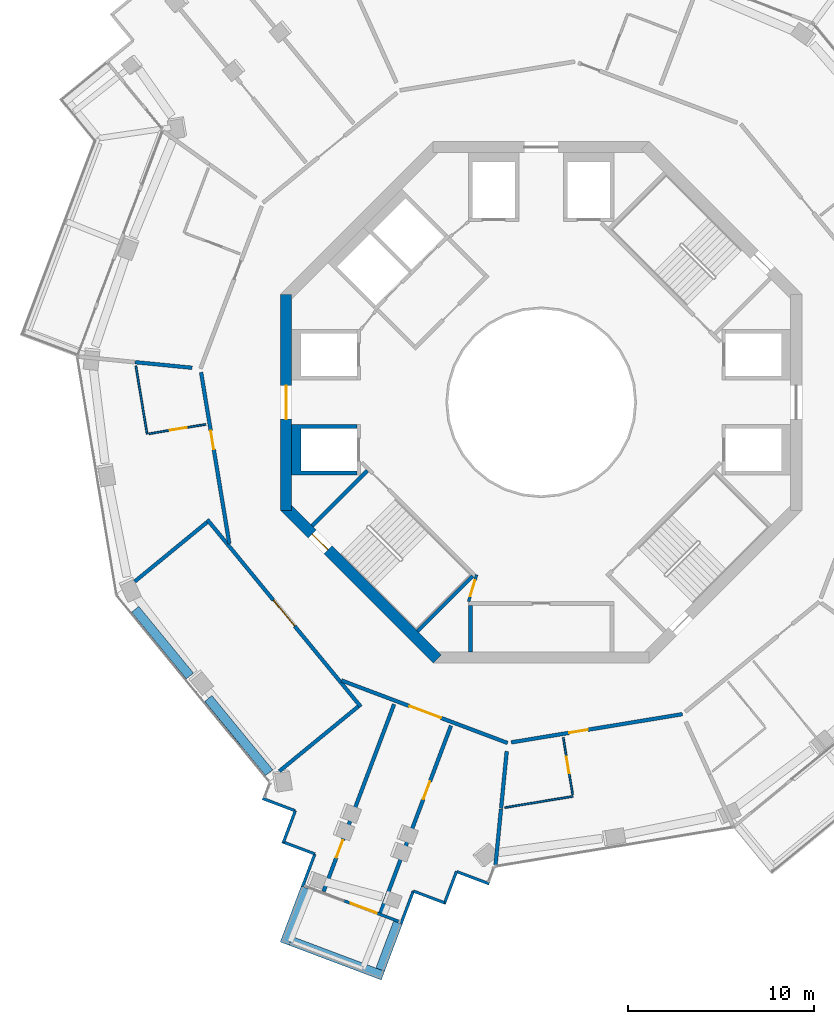
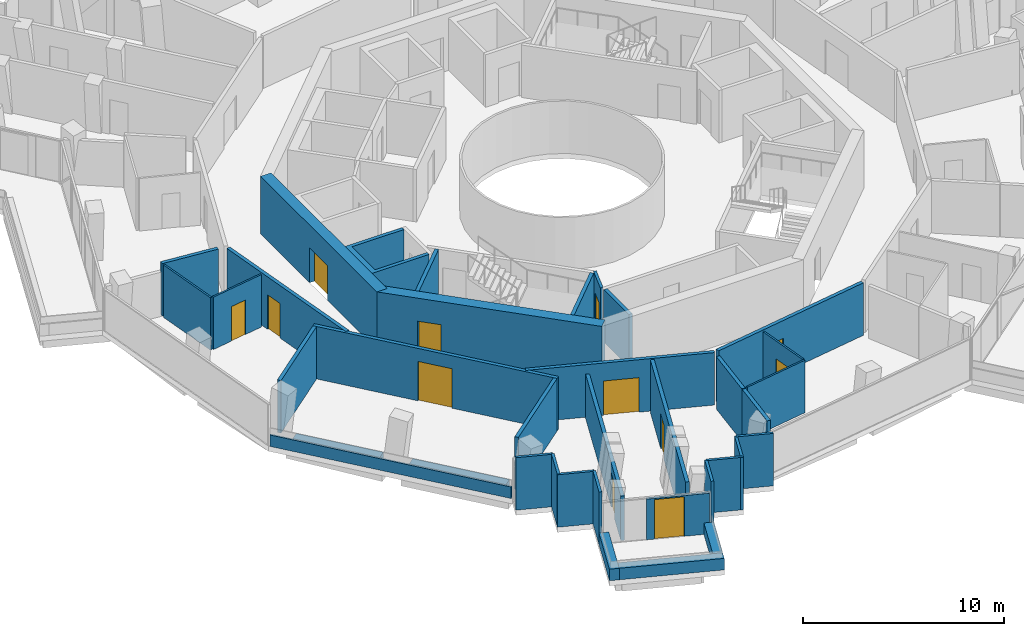
# One storey, part 14 of 21: 37 walls, 12 doors, 12 openings.
"""IFC4 building model written with IfcOpenShell, lengths in metres."""

import ifcopenshell
import ifcopenshell.guid

model = None  # the IFC model being written
_history = None  # IfcOwnerHistory: only IFC2X3 demands one
_inside = {}  # id of a spatial element -> (the spatial element, [elements in it])
_under = {}  # id of a project, library or spatial element -> (it, [spatial elements below it])
_declared = {}  # id of a project -> (the project, [libraries it declares])
_typed = {}  # id of a type object -> (the type object, [elements of that type])
_made_of = {}  # id of a material, layer set ... -> (it, [elements and type objects made of it])


def new_model(schema):
    """Start an empty IFC model of exactly this schema.

    Asked for "IFC4X3", IfcOpenShell would pick the latest addendum, in which some entities
    have other attributes; the version numbers below select the first issue.
    IFC2X3 requires an IfcOwnerHistory on every rooted entity: one is made here for all.
    """
    global model, _history
    if schema == "IFC4X3":
        model = ifcopenshell.file(schema_version=(4, 3, 0, 0))
    else:
        model = ifcopenshell.file(schema=schema)
    _inside.clear()
    _under.clear()
    _declared.clear()
    _typed.clear()
    _made_of.clear()
    _history = None
    if model.schema == "IFC2X3":
        org = make("IfcOrganization", Name="unknown")
        user = make(
            "IfcPersonAndOrganization",
            ThePerson=make("IfcPerson", FamilyName="unknown"),
            TheOrganization=org,
        )
        app = make(
            "IfcApplication",
            ApplicationDeveloper=org,
            Version="unknown",
            ApplicationFullName="unknown",
            ApplicationIdentifier="unknown",
        )
        _history = make(
            "IfcOwnerHistory",
            OwningUser=user,
            OwningApplication=app,
            ChangeAction="ADDED",
            CreationDate=0,
        )
    return model


def make(cls, **values):
    """One entity of the class cls with the attributes given. An attribute that is None is left unset."""
    return model.create_entity(
        cls, **{name: value for name, value in values.items() if value is not None}
    )


def rooted(cls, **values):
    """An entity with a GlobalId (a new one), such as an element, a storey or a relation."""
    return make(cls, GlobalId=ifcopenshell.guid.new(), OwnerHistory=_history, **values)


def si_unit(unit_type, name, prefix=None):
    """IfcSIUnit, for example si_unit("LENGTHUNIT", "METRE", prefix="MILLI")."""
    return make("IfcSIUnit", UnitType=unit_type, Prefix=prefix, Name=name)


def assignment(units):
    """IfcUnitAssignment: the units of a project."""
    return None if units is None else make("IfcUnitAssignment", Units=units)


def point(xyz):
    """IfcCartesianPoint."""
    return None if xyz is None else make("IfcCartesianPoint", Coordinates=xyz)


def direction(xyz):
    """IfcDirection."""
    return None if xyz is None else make("IfcDirection", DirectionRatios=xyz)


def frame(location, z_axis=None, x_axis=None):
    """IfcAxis2Placement3D, a coordinate frame: its origin and axes. An axis left out is left unset."""
    return make(
        "IfcAxis2Placement3D",
        Location=point(location),
        Axis=direction(z_axis),
        RefDirection=direction(x_axis),
    )


def frame_2d(location, x_axis=None):
    """IfcAxis2Placement2D, a coordinate frame in the plane: its origin and x axis."""
    return make(
        "IfcAxis2Placement2D", Location=point(location), RefDirection=direction(x_axis)
    )


def origin():
    """The frame at (0, 0, 0) with its axes left unset."""
    return frame((0.0, 0.0, 0.0))


def place(relative_to, where):
    """IfcLocalPlacement: puts the frame where relative to a parent placement (None: the world)."""
    return make(
        "IfcLocalPlacement", PlacementRelTo=relative_to, RelativePlacement=where
    )


def context(
    kind, dimensions, precision=None, world=None, true_north=None, identifier=None
):
    """IfcGeometricRepresentationContext, for example the 3D "Model" context."""
    return make(
        "IfcGeometricRepresentationContext",
        ContextIdentifier=identifier,
        ContextType=kind,
        CoordinateSpaceDimension=dimensions,
        Precision=precision,
        WorldCoordinateSystem=world,
        TrueNorth=true_north,
    )


def subcontext(parent, identifier, kind, view, scale=None):
    """IfcGeometricRepresentationSubContext, for example "Body" below "Model"."""
    return make(
        "IfcGeometricRepresentationSubContext",
        ContextIdentifier=identifier,
        ContextType=kind,
        ParentContext=parent,
        TargetScale=scale,
        TargetView=view,
    )


def project(units=None, contexts=None):
    """IfcProject with its units and contexts."""
    return rooted(
        "IfcProject",
        Name="project",
        RepresentationContexts=contexts,
        UnitsInContext=assignment(units),
    )


def spatial(cls, under=None, at=None, **own):
    """A site, building, storey or space (cls), placed at a placement, below another one or the project."""
    s = rooted(cls, ObjectPlacement=at, **own)
    if under is not None:
        _under.setdefault(under.id(), (under, []))[1].append(s)
    return s


def polyline(points):
    """IfcPolyline through the points."""
    return make("IfcPolyline", Points=[point(p) for p in points])


def profile(cls, at=None, kind="AREA", **sizes):
    """A parametric profile (cls). Its sizes go by their IFC names, for example OverallWidth=200.0."""
    return make(cls, ProfileType=kind, Position=at, **sizes)


def rectangle(**sizes):
    """IfcRectangleProfileDef."""
    return profile("IfcRectangleProfileDef", **sizes)


def outline(outer, holes=None, kind="AREA"):
    """IfcArbitraryClosedProfileDef: a profile drawn as a closed curve; with holes, ...WithVoids."""
    if holes is None:
        return make("IfcArbitraryClosedProfileDef", ProfileType=kind, OuterCurve=outer)
    return make(
        "IfcArbitraryProfileDefWithVoids",
        ProfileType=kind,
        OuterCurve=outer,
        InnerCurves=holes,
    )


def extrude(swept, where, along, depth):
    """IfcExtrudedAreaSolid: the profile swept, set in the frame where, extruded along a direction by depth."""
    return make(
        "IfcExtrudedAreaSolid",
        SweptArea=swept,
        Position=where,
        ExtrudedDirection=direction(along),
        Depth=depth,
    )


def shape(context_of_items, identifier, shape_type, items):
    """IfcShapeRepresentation: the items that make up one representation, for example the "Body"."""
    return make(
        "IfcShapeRepresentation",
        ContextOfItems=context_of_items,
        RepresentationIdentifier=identifier,
        RepresentationType=shape_type,
        Items=items,
    )


def material(Name=None, Category=None):
    """IfcMaterial."""
    return make("IfcMaterial", Name=Name, Category=Category)


def layer(
    of_material, thickness, ventilated=None, Name=None, Category=None, Priority=None
):
    """IfcMaterialLayer: one layer of a wall or slab, of a material (None: an air gap)."""
    return make(
        "IfcMaterialLayer",
        Material=of_material,
        LayerThickness=thickness,
        IsVentilated=ventilated,
        Name=Name,
        Category=Category,
        Priority=Priority,
    )


def layer_set(layers, Name=None):
    """IfcMaterialLayerSet."""
    return make("IfcMaterialLayerSet", MaterialLayers=layers, LayerSetName=Name)


def made_of(thing, what):
    """Note that an element or type object is made of a material, layer set ...; save() writes the relation."""
    if what is not None:
        _made_of.setdefault(what.id(), (what, []))[1].append(thing)
    return thing


def type_object(cls, material=None, **own):
    """A type object (cls), such as IfcWallType, which elements share."""
    return made_of(rooted(cls, **own), material)


def element(
    cls,
    number,
    at=None,
    inside=None,
    cuts=None,
    type_object=None,
    material=None,
    context=None,
    identifier="Body",
    shape_type=None,
    held_by="IfcProductDefinitionShape",
    body=None,
    shapes=None,
    **own,
):
    """One element of the class cls, such as IfcWall. Its Tag is "e" and its number.

    at: its placement. inside: the storey or other place that contains it. cuts: it is an
    opening in that element (IfcRelVoidsElement). A single representation is given by context,
    identifier, shape_type and body (its items); several are given by shapes. held_by: the class
    of the entity that holds the representations. save() writes the other relations.
    """
    e = rooted(cls, Tag="e%d" % number, ObjectPlacement=at, **own)
    if body is not None:
        shapes = [shape(context, identifier, shape_type, body)]
    if shapes is not None:
        e.Representation = make(held_by, Representations=shapes)
    if inside is not None:
        _inside.setdefault(inside.id(), (inside, []))[1].append(e)
    if cuts is not None:
        rooted(
            "IfcRelVoidsElement", RelatingBuildingElement=cuts, RelatedOpeningElement=e
        )
    if type_object is not None:
        _typed.setdefault(type_object.id(), (type_object, []))[1].append(e)
    return made_of(e, material)


def fill(opening, filler):
    """IfcRelFillsElement: the door or window that sits in an opening."""
    return rooted(
        "IfcRelFillsElement",
        RelatingOpeningElement=opening,
        RelatedBuildingElement=filler,
    )


def aggregate(whole, parts):
    """IfcRelAggregates: a whole, such as a stair, and the parts it consists of."""
    return rooted("IfcRelAggregates", RelatingObject=whole, RelatedObjects=parts)


def save(model, path):
    """Write the relations noted so far, then the file.

    IfcRelAggregates (storeys below a building ...), IfcRelContainedInSpatialStructure (elements
    in a storey), IfcRelDefinesByType, IfcRelAssociatesMaterial and IfcRelDeclares: one each for
    every whole, place, type object, material and project.
    """
    for whole, parts in _under.values():
        aggregate(whole, parts)
    for where, things in _inside.values():
        rooted(
            "IfcRelContainedInSpatialStructure",
            RelatedElements=things,
            RelatingStructure=where,
        )
    for kind, things in _typed.values():
        rooted("IfcRelDefinesByType", RelatedObjects=things, RelatingType=kind)
    for what, things in _made_of.values():
        rooted("IfcRelAssociatesMaterial", RelatedObjects=things, RelatingMaterial=what)
    for by, libraries in _declared.values():
        rooted("IfcRelDeclares", RelatingContext=by, RelatedDefinitions=libraries)
    model.write(path)


model = new_model("IFC4")

# Units and contexts
model_context = context("Model", 3, precision=1e-05, world=origin(), true_north=direction((0.0, 1.0)))
body_context = subcontext(model_context, "Body", "Model", "MODEL_VIEW")
ifc_project = project(units=[si_unit("LENGTHUNIT", "METRE"), si_unit("AREAUNIT", "SQUARE_METRE"), si_unit("VOLUMEUNIT", "CUBIC_METRE"), si_unit("PLANEANGLEUNIT", "RADIAN"), si_unit("MASSUNIT", "GRAM", prefix="KILO")], contexts=[model_context])

# Site, building, storey
site_placement = place(None, origin())
site = spatial("IfcSite", under=ifc_project, at=site_placement, CompositionType="ELEMENT")
building_placement = place(site_placement, origin())
building = spatial("IfcBuilding", under=site, at=building_placement, Name="Verdalira Terraces Hotel", CompositionType="ELEMENT")
storey_placement = place(building_placement, frame((0.0, 0.0, 194.0)))
storey = spatial("IfcBuildingStorey", under=building, at=storey_placement, Name="L47", CompositionType="ELEMENT", Elevation=194.0)

# Walls
ifc_material_1 = material(Name="Concrete C40", Category="concrete")
ifc_layer_1 = layer(ifc_material_1, 0.5)
ifc_layer_set_1 = layer_set([ifc_layer_1], Name="Balcony planter trough with tree")
wall_type_1 = type_object("IfcWallType", Name="Balcony planter trough with tree", PredefinedType="SOLIDWALL", material=ifc_layer_set_1)
wall_1_placement = place(storey_placement, frame((-12.652588, -26.072754, 0.0), z_axis=(0.0, 0.0, 1.0), x_axis=(-0.35251141, -0.935807515, 0.0)))
element("IfcWall", 1, at=wall_1_placement, inside=storey, type_object=wall_type_1, Name="Balcony planter", PredefinedType="SOLIDWALL", context=body_context, shape_type="SweptSolid", body=[
    extrude(rectangle(XDim=3.198975, YDim=0.5, at=frame_2d((1.599609, 0.0))), origin(), (0.0, 0.0, 1.0), 0.699951),
])
wall_2_placement = place(storey_placement, frame((-13.458252, -28.920654, 0.0), z_axis=(0.0, 0.0, 1.0), x_axis=(0.93581515, -0.352491141, 0.0)))
element("IfcWall", 2, at=wall_2_placement, inside=storey, type_object=wall_type_1, Name="Balcony planter", PredefinedType="SOLIDWALL", context=body_context, shape_type="SweptSolid", body=[
    extrude(rectangle(XDim=5.299805, YDim=0.5, at=frame_2d((2.649902, 0.0))), origin(), (0.0, 0.0, 1.0), 0.699951),
])
wall_3_placement = place(storey_placement, frame((-8.644287, -30.466797, 0.0), z_axis=(0.0, 0.0, 1.0), x_axis=(0.352520836, 0.935803965, 0.0)))
element("IfcWall", 3, at=wall_3_placement, inside=storey, type_object=wall_type_1, Name="Balcony planter", PredefinedType="SOLIDWALL", context=body_context, shape_type="SweptSolid", body=[
    extrude(rectangle(XDim=2.698975, YDim=0.5, at=frame_2d((1.349609, 0.0))), origin(), (0.0, 0.0, 1.0), 0.699951),
])
ifc_material_2 = material(Name="Moisture-resistant gypsum board partition")
ifc_layer_2 = layer(ifc_material_2, 0.10009765625)
ifc_layer_set_2 = layer_set([ifc_layer_2], Name="Bathroom partition 100 mm")
wall_type_2 = type_object("IfcWallType", Name="Bathroom partition 100 mm", PredefinedType="PARTITIONING", material=ifc_layer_set_2)
wall_4_placement = place(storey_placement, frame((-21.162598, -1.706299, 0.0), z_axis=(0.0, 0.0, 1.0), x_axis=(-0.162603078, 0.986691562, 0.0)))
element("IfcWall", 4, at=wall_4_placement, inside=storey, type_object=wall_type_2, Name="Bathroom partition", PredefinedType="PARTITIONING", context=body_context, shape_type="SweptSolid", body=[
    extrude(rectangle(XDim=3.704102, YDim=0.100098, at=frame_2d((1.852051, 0.0))), origin(), (0.0, 0.0, 1.0), 3.189941),
])

# Wall, opening, door
wall_5_placement = place(storey_placement, frame((-21.063965, -1.689941, 0.0), z_axis=(0.0, 0.0, 1.0), x_axis=(0.98668818, 0.162623601, 0.0)))
wall_5 = element("IfcWall", 5, at=wall_5_placement, inside=storey, type_object=wall_type_2, Name="Bathroom partition", PredefinedType="PARTITIONING", context=body_context, shape_type="SweptSolid", body=[
    extrude(rectangle(XDim=3.100098, YDim=0.100098, at=frame_2d((1.550049, 0.0))), origin(), (0.0, 0.0, 1.0), 3.189941),
])
opening_1_placement = place(wall_5_placement, frame((1.149902, 0.0, 0.0)))
opening_1 = element("IfcOpeningElement", 6, at=opening_1_placement, cuts=wall_5, Name="Opening L47-107", PredefinedType="OPENING", context=body_context, shape_type="SweptSolid", body=[
    extrude(rectangle(XDim=0.899902, YDim=2.100098, at=frame_2d((0.449951, 1.050049))), frame((0.0, 0.060059, 0.0), z_axis=(0.0, -1.0, 0.0), x_axis=(1.0, 0.0, 0.0)), (0.0, 0.0, 1.0), 0.120117),
])
ifc_material_3 = material(Name="Timber door", Category="wood")
door_type_1 = type_object("IfcDoorType", Name="Bathroom door 900 x 2100", OperationType="NOTDEFINED", PredefinedType="DOOR", material=ifc_material_3)
door_1_placement = place(opening_1_placement, origin())
door_1 = element("IfcDoor", 7, at=door_1_placement, inside=storey, type_object=door_type_1, Name="Bathroom door 4703", OperationType="SINGLE_SWING_LEFT", OverallHeight=2.10009765625, OverallWidth=0.89990234375, PredefinedType="DOOR", context=body_context, shape_type="SweptSolid", body=[
    extrude(rectangle(XDim=0.899902, YDim=2.100098, at=frame_2d((0.449951, 1.050049))), frame((0.0, 0.024902, 0.0), z_axis=(0.0, -1.0, 0.0), x_axis=(1.0, 0.0, 0.0)), (0.0, 0.0, 1.0), 0.050049),
])
fill(opening_1, door_1)

# Wall
wall_6_placement = place(storey_placement, frame((1.706299, -21.162598, 0.0), z_axis=(0.0, 0.0, 1.0), x_axis=(-0.986691562, -0.162603078, 0.0)))
element("IfcWall", 8, at=wall_6_placement, inside=storey, type_object=wall_type_2, Name="Bathroom partition", PredefinedType="PARTITIONING", context=body_context, shape_type="SweptSolid", body=[
    extrude(rectangle(XDim=3.704102, YDim=0.100098, at=frame_2d((1.852051, 0.0))), origin(), (0.0, 0.0, 1.0), 3.189941),
])

# Wall, opening, door
wall_7_placement = place(storey_placement, frame((1.689941, -21.063965, 0.0), z_axis=(0.0, 0.0, 1.0), x_axis=(-0.162623601, 0.98668818, 0.0)))
wall_7 = element("IfcWall", 9, at=wall_7_placement, inside=storey, type_object=wall_type_2, Name="Bathroom partition", PredefinedType="PARTITIONING", context=body_context, shape_type="SweptSolid", body=[
    extrude(rectangle(XDim=3.100098, YDim=0.100098, at=frame_2d((1.550049, 0.0))), origin(), (0.0, 0.0, 1.0), 3.189941),
])
opening_2_placement = place(wall_7_placement, frame((1.149902, 0.0, 0.0)))
opening_2 = element("IfcOpeningElement", 10, at=opening_2_placement, cuts=wall_7, Name="Opening L47-112", PredefinedType="OPENING", context=body_context, shape_type="SweptSolid", body=[
    extrude(rectangle(XDim=0.899902, YDim=2.100098, at=frame_2d((0.449951, 1.050049))), frame((0.0, 0.060059, 0.0), z_axis=(0.0, -1.0, 0.0), x_axis=(1.0, 0.0, 0.0)), (0.0, 0.0, 1.0), 0.120117),
])
door_2_placement = place(opening_2_placement, origin())
door_2 = element("IfcDoor", 11, at=door_2_placement, inside=storey, type_object=door_type_1, Name="Bathroom door 4705", OperationType="SINGLE_SWING_LEFT", OverallHeight=2.10009765625, OverallWidth=0.89990234375, PredefinedType="DOOR", context=body_context, shape_type="SweptSolid", body=[
    extrude(rectangle(XDim=0.899902, YDim=2.100098, at=frame_2d((0.449951, 1.050049))), frame((0.0, 0.024902, 0.0), z_axis=(0.0, -1.0, 0.0), x_axis=(1.0, 0.0, 0.0)), (0.0, 0.0, 1.0), 0.050049),
])
fill(opening_2, door_2)

# Walls
ifc_material_4 = material(Name="Concrete C50", Category="concrete")
ifc_layer_3 = layer(ifc_material_4, 0.199951171875)
ifc_layer_set_3 = layer_set([ifc_layer_3], Name="Core RC wall 200 C50")
wall_type_3 = type_object("IfcWallType", Name="Core RC wall 200 C50", PredefinedType="SOLIDWALL", material=ifc_layer_set_3)
wall_8_placement = place(storey_placement, origin())
element("IfcWall", 12, at=wall_8_placement, inside=storey, type_object=wall_type_3, Name="L47 shaft wall W2", PredefinedType="SOLIDWALL", context=body_context, shape_type="SweptSolid", body=[
    extrude(outline(polyline([(-13.399902, -3.899902), (-13.399902, -1.199951), (-9.899902, -1.199951), (-9.899902, -1.399902), (-12.899902, -1.399902), (-12.899902, -3.699951), (-9.899902, -3.699951), (-9.899902, -3.899902), (-13.399902, -3.899902)])), origin(), (0.0, 0.0, 1.0), 3.189941),
])
wall_9_placement = place(storey_placement, frame((-3.800049, -10.899902, 0.0), z_axis=(0.0, 0.0, 1.0), x_axis=(0.0, -1.0, 0.0)))
element("IfcWall", 13, at=wall_9_placement, inside=storey, type_object=wall_type_3, Name="L47 store side wall", PredefinedType="SOLIDWALL", context=body_context, shape_type="SweptSolid", body=[
    extrude(rectangle(XDim=2.5, YDim=0.199951, at=frame_2d((1.25, 0.0))), origin(), (0.0, 0.0, 1.0), 3.189941),
])
for number, where, z_axis, x_axis, name in (
    (14, (-9.33374, -3.677002, 0.0), (0.0, 0.0, 1.0), (-0.707135845, -0.707077716, 0.0), "L47 stair ST2 end wall 1"),
    (15, (-3.677002, -9.33374, 0.0), (0.0, 0.0, 1.0), (-0.707077716, -0.707135845, 0.0), "L47 stair ST2 end wall 2"),
):
    element("IfcWall", number, at=place(storey_placement, frame(where, z_axis=z_axis, x_axis=x_axis)), inside=storey, type_object=wall_type_3, Name=name, PredefinedType="SOLIDWALL", context=body_context, shape_type="SweptSolid", body=[
        extrude(rectangle(XDim=4.199951, YDim=0.199951, at=frame_2d((2.100098, 0.0))), origin(), (0.0, 0.0, 1.0), 3.189941),
    ])

# Wall, opening, door
ifc_material_5 = material(Name="Gypsum board partition")
ifc_layer_4 = layer(ifc_material_5, 0.14990234375)
ifc_layer_set_4 = layer_set([ifc_layer_4], Name="Core partition 150 mm")
wall_type_4 = type_object("IfcWallType", Name="Core partition 150 mm", PredefinedType="PARTITIONING", material=ifc_layer_set_4)
wall_10_placement = place(storey_placement, frame((-3.464844, -9.263184, 0.0), z_axis=(0.0, 0.0, 1.0), x_axis=(-0.289808785, -0.957084567, 0.0)))
wall_10 = element("IfcWall", 16, at=wall_10_placement, inside=storey, type_object=wall_type_4, Name="Room partition L47", PredefinedType="PARTITIONING", context=body_context, shape_type="SweptSolid", body=[
    extrude(rectangle(XDim=1.501221, YDim=0.149902, at=frame_2d((0.750488, 0.0))), origin(), (0.0, 0.0, 1.0), 3.189941),
])
opening_3_placement = place(wall_10_placement, frame((0.300781, 0.0, 0.0)))
opening_3 = element("IfcOpeningElement", 17, at=opening_3_placement, cuts=wall_10, Name="Opening L47-822", PredefinedType="OPENING", context=body_context, shape_type="SweptSolid", body=[
    extrude(rectangle(XDim=0.899902, YDim=2.100098, at=frame_2d((0.449951, 1.050049))), frame((0.0, 0.084961, 0.0), z_axis=(0.0, -1.0, 0.0), x_axis=(1.0, 0.0, 0.0)), (0.0, 0.0, 1.0), 0.169922),
])
ifc_material_6 = material(Name="Steel fire door", Category="steel")
door_type_2 = type_object("IfcDoorType", Name="Core room door 900 x 2100", OperationType="NOTDEFINED", PredefinedType="DOOR", material=ifc_material_6)
door_3_placement = place(opening_3_placement, origin())
door_3 = element("IfcDoor", 18, at=door_3_placement, inside=storey, type_object=door_type_2, Name="Door L47 room5", OperationType="SINGLE_SWING_LEFT", OverallHeight=2.10009765625, OverallWidth=0.89990234375, PredefinedType="DOOR", context=body_context, shape_type="SweptSolid", body=[
    extrude(rectangle(XDim=0.899902, YDim=2.100098, at=frame_2d((0.449951, 1.050049))), frame((0.0, 0.024902, 0.0), z_axis=(0.0, -1.0, 0.0), x_axis=(1.0, 0.0, 0.0)), (0.0, 0.0, 1.0), 0.050049),
])
fill(opening_3, door_3)

ifc_material_7 = material(Name="Concrete C60", Category="concrete")
ifc_layer_5 = layer(ifc_material_7, 0.60009765625)
ifc_layer_set_5 = layer_set([ifc_layer_5], Name="Core wall 600 C60")
wall_type_5 = type_object("IfcWallType", Name="Core wall 600 C60", PredefinedType="SHEAR", material=ifc_layer_set_5)
wall_11_placement = place(storey_placement, frame((-13.699951, 5.799072, 0.0), z_axis=(0.0, 0.0, 1.0), x_axis=(0.0, -1.0, 0.0)))
wall_11 = element("IfcWall", 19, at=wall_11_placement, inside=storey, type_object=wall_type_5, Name="Core wall CW-L47-5", PredefinedType="SHEAR", context=body_context, shape_type="SweptSolid", body=[
    extrude(rectangle(XDim=11.598145, YDim=0.600098, at=frame_2d((5.799072, 0.0))), origin(), (0.0, 0.0, 1.0), 3.5),
])
opening_4_placement = place(wall_11_placement, frame((4.898926, 0.0, 0.0)))
opening_4 = element("IfcOpeningElement", 20, at=opening_4_placement, cuts=wall_11, Name="Opening L47-815", PredefinedType="OPENING", context=body_context, shape_type="SweptSolid", body=[
    extrude(rectangle(XDim=1.800049, YDim=2.100098, at=frame_2d((0.899902, 1.050049))), frame((0.0, 0.310059, 0.0), z_axis=(0.0, -1.0, 0.0), x_axis=(1.0, 0.0, 0.0)), (0.0, 0.0, 1.0), 0.620117),
])
ifc_material_8 = material(Name="Steel fire door", Category="steel")
door_type_3 = type_object("IfcDoorType", Name="Core entry door pair 1800 x 2100", OperationType="NOTDEFINED", PredefinedType="DOOR", material=ifc_material_8)
door_4_placement = place(opening_4_placement, origin())
door_4 = element("IfcDoor", 21, at=door_4_placement, inside=storey, type_object=door_type_3, Name="Core entry door L47 4", OperationType="DOUBLE_DOOR_SINGLE_SWING", OverallHeight=2.10009765625, OverallWidth=1.800048828125, PredefinedType="DOOR", context=body_context, shape_type="SweptSolid", body=[
    extrude(rectangle(XDim=1.800049, YDim=2.100098, at=frame_2d((0.899902, 1.050049))), frame((0.0, 0.024902, 0.0), z_axis=(0.0, -1.0, 0.0), x_axis=(1.0, 0.0, 0.0)), (0.0, 0.0, 1.0), 0.050049),
])
fill(opening_4, door_4)

wall_12_placement = place(storey_placement, frame((-13.787842, -5.586914, 0.0), z_axis=(0.0, 0.0, 1.0), x_axis=(0.707106781, -0.707106781, 0.0)))
wall_12 = element("IfcWall", 22, at=wall_12_placement, inside=storey, type_object=wall_type_5, Name="Core wall CW-L47-6", PredefinedType="SHEAR", context=body_context, shape_type="SweptSolid", body=[
    extrude(rectangle(XDim=11.5979, YDim=0.600098, at=frame_2d((5.798828, 0.0))), origin(), (0.0, 0.0, 1.0), 3.5),
])
opening_5_placement = place(wall_12_placement, frame((2.099121, 0.0, 0.0)))
opening_5 = element("IfcOpeningElement", 23, at=opening_5_placement, cuts=wall_12, Name="Opening L47-817", PredefinedType="OPENING", context=body_context, shape_type="SweptSolid", body=[
    extrude(rectangle(XDim=1.199951, YDim=2.100098, at=frame_2d((0.600098, 1.050049))), frame((0.0, 0.310059, 0.0), z_axis=(0.0, -1.0, 0.0), x_axis=(1.0, 0.0, 0.0)), (0.0, 0.0, 1.0), 0.620117),
])
ifc_material_9 = material(Name="Steel fire door", Category="steel")
door_type_4 = type_object("IfcDoorType", Name="Stair door 1200 x 2100", OperationType="NOTDEFINED", PredefinedType="DOOR", material=ifc_material_9)
door_5_placement = place(opening_5_placement, origin())
door_5 = element("IfcDoor", 24, at=door_5_placement, inside=storey, type_object=door_type_4, Name="Stair exit door ST2 L47", OperationType="SINGLE_SWING_LEFT", OverallHeight=2.10009765625, OverallWidth=1.199951171875, PredefinedType="DOOR", context=body_context, shape_type="SweptSolid", body=[
    extrude(rectangle(XDim=1.199951, YDim=2.100098, at=frame_2d((0.600098, 1.050049))), frame((0.0, 0.024902, 0.0), z_axis=(0.0, -1.0, 0.0), x_axis=(1.0, 0.0, 0.0)), (0.0, 0.0, 1.0), 0.050049),
])
fill(opening_5, door_5)

# Wall
ifc_material_10 = material(Name="Fire-rated gypsum board wall")
ifc_layer_6 = layer(ifc_material_10, 0.199951171875)
ifc_layer_set_6 = layer_set([ifc_layer_6], Name="Demising wall 200 mm")
wall_type_6 = type_object("IfcWallType", Name="Demising wall 200 mm", PredefinedType="SOLIDWALL", material=ifc_layer_set_6)
wall_13_placement = place(storey_placement, frame((-18.740967, 1.85083, 0.0), z_axis=(0.0, 0.0, 1.0), x_axis=(-0.995164511, 0.098222174, 0.0)))
element("IfcWall", 25, at=wall_13_placement, inside=storey, type_object=wall_type_6, Name="Demising wall", PredefinedType="SOLIDWALL", context=body_context, shape_type="SweptSolid", body=[
    extrude(rectangle(XDim=3.074707, YDim=0.199951, at=frame_2d((1.537354, 0.0))), origin(), (0.0, 0.0, 1.0), 3.189941),
])

# Wall, opening, door
wall_14_placement = place(storey_placement, frame((-4.843262, -17.365723, 0.0), z_axis=(0.0, 0.0, 1.0), x_axis=(-0.352491927, -0.935814854, 0.0)))
wall_14 = element("IfcWall", 26, at=wall_14_placement, inside=storey, type_object=wall_type_6, Name="Demising wall", PredefinedType="SOLIDWALL", context=body_context, shape_type="SweptSolid", body=[
    extrude(rectangle(XDim=10.75, YDim=0.199951, at=frame_2d((5.375, 0.0))), origin(), (0.0, 0.0, 1.0), 3.189941),
])
opening_6_placement = place(wall_14_placement, frame((3.199951, 0.0, 0.0)))
opening_6 = element("IfcOpeningElement", 27, at=opening_6_placement, cuts=wall_14, Name="Opening L47-110", PredefinedType="OPENING", context=body_context, shape_type="SweptSolid", body=[
    extrude(rectangle(XDim=1.0, YDim=2.100098, at=frame_2d((0.5, 1.050049))), frame((0.0, 0.109863, 0.0), z_axis=(0.0, -1.0, 0.0), x_axis=(1.0, 0.0, 0.0)), (0.0, 0.0, 1.0), 0.219971),
])
ifc_material_11 = material(Name="Timber fire door", Category="wood")
door_type_5 = type_object("IfcDoorType", Name="Public room door 1000 x 2100", OperationType="NOTDEFINED", PredefinedType="DOOR", material=ifc_material_11)
door_6_placement = place(opening_6_placement, origin())
door_6 = element("IfcDoor", 28, at=door_6_placement, inside=storey, type_object=door_type_5, Name="Public room door 4704", OperationType="SINGLE_SWING_LEFT", OverallHeight=2.10009765625, OverallWidth=1.0, PredefinedType="DOOR", context=body_context, shape_type="SweptSolid", body=[
    extrude(rectangle(XDim=1.0, YDim=2.100098, at=frame_2d((0.5, 1.050049))), frame((0.0, 0.024902, 0.0), z_axis=(0.0, -1.0, 0.0), x_axis=(1.0, 0.0, 0.0)), (0.0, 0.0, 1.0), 0.050049),
])
fill(opening_6, door_6)

# Walls
wall_15_placement = place(storey_placement, frame((-2.157471, -21.846436, 0.0), z_axis=(0.0, 0.0, 1.0), x_axis=(-0.098259464, -0.99516083, 0.0)))
element("IfcWall", 29, at=wall_15_placement, inside=storey, type_object=wall_type_6, Name="Demising wall", PredefinedType="SOLIDWALL", context=body_context, shape_type="SweptSolid", body=[
    extrude(rectangle(XDim=3.011475, YDim=0.199951, at=frame_2d((1.505859, 0.0))), origin(), (0.0, 0.0, 1.0), 3.189941),
])
wall_16_placement = place(storey_placement, frame((-1.85083, -18.740723, 0.0), z_axis=(0.0, 0.0, 1.0), x_axis=(-0.098214413, -0.995165277, 0.0)))
element("IfcWall", 30, at=wall_16_placement, inside=storey, type_object=wall_type_6, Name="Demising wall", PredefinedType="SOLIDWALL", context=body_context, shape_type="SweptSolid", body=[
    extrude(rectangle(XDim=3.074951, YDim=0.199951, at=frame_2d((1.537598, 0.0))), origin(), (0.0, 0.0, 1.0), 3.189941),
])

# Wall, opening, door
ifc_material_12 = material(Name="Fire-rated gypsum board wall")
ifc_layer_7 = layer(ifc_material_12, 0.199951171875)
ifc_layer_set_7 = layer_set([ifc_layer_7], Name="Demising wall 200 mm to beam soffit")
wall_type_7 = type_object("IfcWallType", Name="Demising wall 200 mm to beam soffit", PredefinedType="SOLIDWALL", material=ifc_layer_set_7)
wall_17_placement = place(storey_placement, frame((-11.6875, -26.274902, 0.0), z_axis=(0.0, 0.0, 1.0), x_axis=(0.352499419, 0.935812032, 0.0)))
wall_17 = element("IfcWall", 31, at=wall_17_placement, inside=storey, type_object=wall_type_7, Name="Demising wall", PredefinedType="SOLIDWALL", context=body_context, shape_type="SweptSolid", body=[
    extrude(rectangle(XDim=10.749756, YDim=0.199951, at=frame_2d((5.375, 0.0))), origin(), (0.0, 0.0, 1.0), 2.689941),
])
opening_7_placement = place(wall_17_placement, frame((1.949951, 0.0, 0.0)))
opening_7 = element("IfcOpeningElement", 32, at=opening_7_placement, cuts=wall_17, Name="Opening L47-109", PredefinedType="OPENING", context=body_context, shape_type="SweptSolid", body=[
    extrude(rectangle(XDim=1.0, YDim=2.100098, at=frame_2d((0.5, 1.050049))), frame((0.0, 0.109863, 0.0), z_axis=(0.0, -1.0, 0.0), x_axis=(1.0, 0.0, 0.0)), (0.0, 0.0, 1.0), 0.219971),
])
door_7_placement = place(opening_7_placement, origin())
door_7 = element("IfcDoor", 33, at=door_7_placement, inside=storey, type_object=door_type_5, Name="Public room door 4704", OperationType="SINGLE_SWING_LEFT", OverallHeight=2.10009765625, OverallWidth=1.0, PredefinedType="DOOR", context=body_context, shape_type="SweptSolid", body=[
    extrude(rectangle(XDim=1.0, YDim=2.100098, at=frame_2d((0.5, 1.050049))), frame((0.0, 0.024902, 0.0), z_axis=(0.0, -1.0, 0.0), x_axis=(1.0, 0.0, 0.0)), (0.0, 0.0, 1.0), 0.050049),
])
fill(opening_7, door_7)

ifc_material_13 = material(Name="Fire-rated gypsum board wall")
ifc_layer_8 = layer(ifc_material_13, 0.199951171875)
ifc_layer_set_8 = layer_set([ifc_layer_8], Name="Guest corridor wall 200 mm")
wall_type_8 = type_object("IfcWallType", Name="Guest corridor wall 200 mm", PredefinedType="SOLIDWALL", material=ifc_layer_set_8)
wall_18_placement = place(storey_placement, frame((-16.744873, -7.602783, 0.0), z_axis=(0.0, 0.0, 1.0), x_axis=(-0.162621987, 0.986688446, 0.0)))
wall_18 = element("IfcWall", 34, at=wall_18_placement, inside=storey, type_object=wall_type_8, Name="Guest corridor wall", PredefinedType="SOLIDWALL", context=body_context, shape_type="SweptSolid", body=[
    extrude(rectangle(XDim=9.336426, YDim=0.199951, at=frame_2d((4.668213, 0.0))), origin(), (0.0, 0.0, 1.0), 3.189941),
])
opening_8_placement = place(wall_18_placement, frame((5.149902, 0.0, 0.0)))
opening_8 = element("IfcOpeningElement", 35, at=opening_8_placement, cuts=wall_18, Name="Opening L47-106", PredefinedType="OPENING", context=body_context, shape_type="SweptSolid", body=[
    extrude(rectangle(XDim=1.0, YDim=2.100098, at=frame_2d((0.5, 1.050049))), frame((0.0, 0.109863, 0.0), z_axis=(0.0, -1.0, 0.0), x_axis=(1.0, 0.0, 0.0)), (0.0, 0.0, 1.0), 0.219971),
])
ifc_material_14 = material(Name="Timber fire door", Category="wood")
door_type_6 = type_object("IfcDoorType", Name="Guest entry door 1000 x 2100", OperationType="NOTDEFINED", PredefinedType="DOOR", material=ifc_material_14)
door_8_placement = place(opening_8_placement, origin())
door_8 = element("IfcDoor", 36, at=door_8_placement, inside=storey, type_object=door_type_6, Name="Guest entry door 4703", OperationType="SINGLE_SWING_LEFT", OverallHeight=2.10009765625, OverallWidth=1.0, PredefinedType="DOOR", context=body_context, shape_type="SweptSolid", body=[
    extrude(rectangle(XDim=1.0, YDim=2.100098, at=frame_2d((0.5, 1.050049))), frame((0.0, 0.024902, 0.0), z_axis=(0.0, -1.0, 0.0), x_axis=(1.0, 0.0, 0.0)), (0.0, 0.0, 1.0), 0.050049),
])
fill(opening_8, door_8)

wall_19_placement = place(storey_placement, frame((-1.806885, -18.295898, 0.0), z_axis=(0.0, 0.0, 1.0), x_axis=(-0.935807381, 0.352511767, 0.0)))
wall_19 = element("IfcWall", 37, at=wall_19_placement, inside=storey, type_object=wall_type_8, Name="Guest corridor wall", PredefinedType="SOLIDWALL", context=body_context, shape_type="SweptSolid", body=[
    extrude(rectangle(XDim=9.536865, YDim=0.199951, at=frame_2d((4.768555, 0.0))), origin(), (0.0, 0.0, 1.0), 3.189941),
])
opening_9_placement = place(wall_19_placement, frame((3.819336, 0.0, 0.0)))
opening_9 = element("IfcOpeningElement", 38, at=opening_9_placement, cuts=wall_19, Name="Opening L47-108", PredefinedType="OPENING", context=body_context, shape_type="SweptSolid", body=[
    extrude(rectangle(XDim=1.800049, YDim=2.100098, at=frame_2d((0.899902, 1.050049))), frame((0.0, 0.109863, 0.0), z_axis=(0.0, -1.0, 0.0), x_axis=(1.0, 0.0, 0.0)), (0.0, 0.0, 1.0), 0.219971),
])
ifc_material_15 = material(Name="Timber fire door", Category="wood")
door_type_7 = type_object("IfcDoorType", Name="Public room double door 1800 x 2100", OperationType="NOTDEFINED", PredefinedType="DOOR", material=ifc_material_15)
door_9_placement = place(opening_9_placement, origin())
door_9 = element("IfcDoor", 39, at=door_9_placement, inside=storey, type_object=door_type_7, Name="Public room double door 4704", OperationType="DOUBLE_DOOR_SINGLE_SWING", OverallHeight=2.10009765625, OverallWidth=1.800048828125, PredefinedType="DOOR", context=body_context, shape_type="SweptSolid", body=[
    extrude(rectangle(XDim=1.800049, YDim=2.100098, at=frame_2d((0.899902, 1.050049))), frame((0.0, 0.024902, 0.0), z_axis=(0.0, -1.0, 0.0), x_axis=(1.0, 0.0, 0.0)), (0.0, 0.0, 1.0), 0.050049),
])
fill(opening_9, door_9)

wall_20_placement = place(storey_placement, frame((7.583008, -16.748047, 0.0), z_axis=(0.0, 0.0, 1.0), x_axis=(-0.986686974, -0.162630919, 0.0)))
wall_20 = element("IfcWall", 40, at=wall_20_placement, inside=storey, type_object=wall_type_8, Name="Guest corridor wall", PredefinedType="SOLIDWALL", context=body_context, shape_type="SweptSolid", body=[
    extrude(rectangle(XDim=9.316406, YDim=0.199951, at=frame_2d((4.658203, 0.0))), origin(), (0.0, 0.0, 1.0), 3.189941),
])
opening_10_placement = place(wall_20_placement, frame((5.149902, 0.0, 0.0)))
opening_10 = element("IfcOpeningElement", 41, at=opening_10_placement, cuts=wall_20, Name="Opening L47-111", PredefinedType="OPENING", context=body_context, shape_type="SweptSolid", body=[
    extrude(rectangle(XDim=1.0, YDim=2.100098, at=frame_2d((0.5, 1.050049))), frame((0.0, 0.109863, 0.0), z_axis=(0.0, -1.0, 0.0), x_axis=(1.0, 0.0, 0.0)), (0.0, 0.0, 1.0), 0.219971),
])
door_10_placement = place(opening_10_placement, origin())
door_10 = element("IfcDoor", 42, at=door_10_placement, inside=storey, type_object=door_type_6, Name="Guest entry door 4705", OperationType="SINGLE_SWING_LEFT", OverallHeight=2.10009765625, OverallWidth=1.0, PredefinedType="DOOR", context=body_context, shape_type="SweptSolid", body=[
    extrude(rectangle(XDim=1.0, YDim=2.100098, at=frame_2d((0.5, 1.050049))), frame((0.0, 0.024902, 0.0), z_axis=(0.0, -1.0, 0.0), x_axis=(1.0, 0.0, 0.0)), (0.0, 0.0, 1.0), 0.050049),
])
fill(opening_10, door_10)

ifc_material_16 = material(Name="Terracotta cladding", Category="masonry")
ifc_layer_9 = layer(ifc_material_16, 0.199951171875)
ifc_layer_set_9 = layer_set([ifc_layer_9], Name="Loggia back wall 200")
wall_type_9 = type_object("IfcWallType", Name="Loggia back wall 200", PredefinedType="SOLIDWALL", material=ifc_layer_set_9)
wall_21_placement = place(storey_placement, frame((-9.685303, -16.351318, 0.0), z_axis=(0.0, 0.0, 1.0), x_axis=(-0.634198612, 0.773170176, 0.0)))
wall_21 = element("IfcWall", 43, at=wall_21_placement, inside=storey, type_object=wall_type_9, Name="Loggia back wall", PredefinedType="SOLIDWALL", context=body_context, shape_type="SweptSolid", body=[
    extrude(rectangle(XDim=13.0, YDim=0.199951, at=frame_2d((6.5, 0.0))), origin(), (0.0, 0.0, 1.0), 3.189941),
])
opening_11_placement = place(wall_21_placement, frame((5.600098, 0.0, 0.0)))
opening_11 = element("IfcOpeningElement", 44, at=opening_11_placement, cuts=wall_21, Name="Opening L47-L01", PredefinedType="OPENING", context=body_context, shape_type="SweptSolid", body=[
    extrude(rectangle(XDim=1.800049, YDim=2.399902, at=frame_2d((0.899902, 1.199951))), frame((0.0, 0.109863, 0.0), z_axis=(0.0, -1.0, 0.0), x_axis=(1.0, 0.0, 0.0)), (0.0, 0.0, 1.0), 0.219971),
])
ifc_material_17 = material(Name="Clear glass", Category="glass")
door_type_8 = type_object("IfcDoorType", Name="Garden double door 1800x2400", OperationType="NOTDEFINED", PredefinedType="DOOR", material=ifc_material_17)
door_11_placement = place(opening_11_placement, origin())
door_11 = element("IfcDoor", 45, at=door_11_placement, inside=storey, type_object=door_type_8, Name="Loggia double door", OperationType="DOUBLE_DOOR_SINGLE_SWING", OverallHeight=2.39990234375, OverallWidth=1.800048828125, PredefinedType="DOOR", context=body_context, shape_type="SweptSolid", body=[
    extrude(rectangle(XDim=1.800049, YDim=2.399902, at=frame_2d((0.899902, 1.199951))), frame((0.0, 0.024902, 0.0), z_axis=(0.0, -1.0, 0.0), x_axis=(1.0, 0.0, 0.0)), (0.0, 0.0, 1.0), 0.050049),
])
fill(opening_11, door_11)

# Walls
wall_22_placement = place(storey_placement, frame((-21.825684, -9.624756, 0.0), z_axis=(0.0, 0.0, 1.0), x_axis=(0.773172412, 0.634195886, 0.0)))
element("IfcWall", 46, at=wall_22_placement, inside=storey, type_object=wall_type_9, Name="Loggia side wall", PredefinedType="SOLIDWALL", context=body_context, shape_type="SweptSolid", body=[
    extrude(rectangle(XDim=5.020752, YDim=0.199951, at=frame_2d((2.510254, 0.0))), origin(), (0.0, 0.0, 1.0), 3.189941),
])
wall_23_placement = place(storey_placement, frame((-14.057861, -19.80835, 0.0), z_axis=(0.0, 0.0, 1.0), x_axis=(0.773181609, 0.634184673, 0.0)))
element("IfcWall", 47, at=wall_23_placement, inside=storey, type_object=wall_type_9, Name="Loggia side wall", PredefinedType="SOLIDWALL", context=body_context, shape_type="SweptSolid", body=[
    extrude(rectangle(XDim=5.473145, YDim=0.199951, at=frame_2d((2.736572, 0.0))), origin(), (0.0, 0.0, 1.0), 3.189941),
])
ifc_material_18 = material(Name="Concrete C40", Category="concrete")
ifc_layer_10 = layer(ifc_material_18, 0.5)
ifc_layer_set_10 = layer_set([ifc_layer_10], Name="Loggia planter trough with tree")
wall_type_10 = type_object("IfcWallType", Name="Loggia planter trough with tree", PredefinedType="SOLIDWALL", material=ifc_layer_set_10)
wall_24_placement = place(storey_placement, frame((-21.803711, -11.116699, 0.0), z_axis=(0.0, 0.0, 1.0), x_axis=(0.63416719, -0.773195949, 0.0)))
element("IfcWall", 48, at=wall_24_placement, inside=storey, type_object=wall_type_10, Name="Loggia planter", PredefinedType="SOLIDWALL", context=body_context, shape_type="SweptSolid", body=[
    extrude(rectangle(XDim=4.632324, YDim=0.5, at=frame_2d((2.316162, 0.0))), origin(), (0.0, 0.0, 1.0), 0.699951),
])
wall_25_placement = place(storey_placement, frame((-17.875732, -15.905762, 0.0), z_axis=(0.0, 0.0, 1.0), x_axis=(0.634189522, -0.773177632, 0.0)))
element("IfcWall", 49, at=wall_25_placement, inside=storey, type_object=wall_type_10, Name="Loggia planter", PredefinedType="SOLIDWALL", context=body_context, shape_type="SweptSolid", body=[
    extrude(rectangle(XDim=5.1521, YDim=0.5, at=frame_2d((2.576172, 0.0))), origin(), (0.0, 0.0, 1.0), 0.699951),
])
ifc_material_19 = material(Name="Concrete C40", Category="concrete")
ifc_layer_11 = layer(ifc_material_19, 0.10009765625)
ifc_layer_set_11 = layer_set([ifc_layer_11], Name="Loggia upstand 100")
wall_type_11 = type_object("IfcWallType", Name="Loggia upstand 100", PredefinedType="SOLIDWALL", material=ifc_layer_set_11)
wall_26_placement = place(storey_placement, frame((-22.788818, -10.388916, 0.0), z_axis=(0.0, 0.0, 1.0), x_axis=(0.63419714, -0.773171383, 0.0)))
element("IfcWall", 50, at=wall_26_placement, inside=storey, type_object=wall_type_11, Name="Loggia upstand", PredefinedType="SOLIDWALL", context=body_context, shape_type="SweptSolid", body=[
    extrude(rectangle(XDim=12.839844, YDim=0.100098, at=frame_2d((6.419922, 0.0))), origin(), (0.0, 0.0, 1.0), 0.699951),
])
ifc_material_20 = material(Name="Terracotta cladding", Category="masonry")
ifc_layer_12 = layer(ifc_material_20, 0.14990234375)
ifc_layer_set_12 = layer_set([ifc_layer_12], Name="Terracotta clad wall 150")
wall_type_12 = type_object("IfcWallType", Name="Terracotta clad wall 150", PredefinedType="SOLIDWALL", material=ifc_layer_set_12)
wall_27_placement = place(storey_placement, frame((-14.959717, -21.275635, 0.0), z_axis=(0.0, 0.0, 1.0), x_axis=(0.935819842, -0.352478685, 0.0)))
element("IfcWall", 51, at=wall_27_placement, inside=storey, type_object=wall_type_12, Name="Terracotta cladding wall", PredefinedType="SOLIDWALL", context=body_context, shape_type="SweptSolid", body=[
    extrude(rectangle(XDim=1.875, YDim=0.149902, at=frame_2d((0.9375, 0.0))), origin(), (0.0, 0.0, 1.0), 3.189941),
])
wall_28_placement = place(storey_placement, frame((-13.205078, -21.936523, 0.0), z_axis=(0.0, 0.0, 1.0), x_axis=(-0.352490469, -0.935815404, 0.0)))
element("IfcWall", 52, at=wall_28_placement, inside=storey, type_object=wall_type_12, Name="Terracotta cladding wall", PredefinedType="SOLIDWALL", context=body_context, shape_type="SweptSolid", body=[
    extrude(rectangle(XDim=1.800049, YDim=0.149902, at=frame_2d((0.899902, 0.0))), origin(), (0.0, 0.0, 1.0), 3.189941),
])
for number, where, z_axis, x_axis, name in (
    (53, (-13.909912, -23.594727, 0.0), (0.0, 0.0, 1.0), (0.935819842, -0.352478685, 0.0), "Terracotta cladding wall"),
    (54, (-12.155273, -24.255615, 0.0), (0.0, 0.0, 1.0), (-0.352478685, -0.935819842, 0.0), "Terracotta cladding wall"),
    (55, (-7.528809, -28.001709, 0.0), (0.0, 0.0, 1.0), (0.352478685, 0.935819842, 0.0), "Terracotta cladding wall"),
):
    element("IfcWall", number, at=place(storey_placement, frame(where, z_axis=z_axis, x_axis=x_axis)), inside=storey, type_object=wall_type_12, Name=name, PredefinedType="SOLIDWALL", context=body_context, shape_type="SweptSolid", body=[
        extrude(rectangle(XDim=1.875, YDim=0.149902, at=frame_2d((0.9375, 0.0))), origin(), (0.0, 0.0, 1.0), 3.189941),
    ])
wall_29_placement = place(storey_placement, frame((-6.86792, -26.24707, 0.0), z_axis=(0.0, 0.0, 1.0), x_axis=(0.935815404, -0.352490469, 0.0)))
element("IfcWall", 56, at=wall_29_placement, inside=storey, type_object=wall_type_12, Name="Terracotta cladding wall", PredefinedType="SOLIDWALL", context=body_context, shape_type="SweptSolid", body=[
    extrude(rectangle(XDim=1.800049, YDim=0.149902, at=frame_2d((0.899902, 0.0))), origin(), (0.0, 0.0, 1.0), 3.189941),
])
for number, where, z_axis, x_axis, name in (
    (57, (-5.209717, -26.951904, 0.0), (0.0, 0.0, 1.0), (0.352478685, 0.935819842, 0.0), "Terracotta cladding wall"),
    (58, (-4.548828, -25.197266, 0.0), (0.0, 0.0, 1.0), (0.935819842, -0.352478685, 0.0), "Terracotta cladding wall"),
):
    element("IfcWall", number, at=place(storey_placement, frame(where, z_axis=z_axis, x_axis=x_axis)), inside=storey, type_object=wall_type_12, Name=name, PredefinedType="SOLIDWALL", context=body_context, shape_type="SweptSolid", body=[
        extrude(rectangle(XDim=1.875, YDim=0.149902, at=frame_2d((0.9375, 0.0))), origin(), (0.0, 0.0, 1.0), 3.189941),
    ])

# Wall, opening, door
ifc_material_21 = material(Name="Terracotta cladding", Category="masonry")
ifc_layer_13 = layer(ifc_material_21, 0.14990234375)
ifc_layer_set_13 = layer_set([ifc_layer_13], Name="Terracotta door pier 150")
wall_type_13 = type_object("IfcWallType", Name="Terracotta door pier 150", PredefinedType="SOLIDWALL", material=ifc_layer_set_13)
wall_30_placement = place(storey_placement, frame((-10.604492, -26.763184, 0.0), z_axis=(0.0, 0.0, 1.0), x_axis=(0.935820161, -0.352477838, 0.0)))
wall_30 = element("IfcWall", 59, at=wall_30_placement, inside=storey, type_object=wall_type_13, Name="Terracotta door pier", PredefinedType="SOLIDWALL", context=body_context, shape_type="SweptSolid", body=[
    extrude(rectangle(XDim=3.159912, YDim=0.149902, at=frame_2d((1.580078, 0.0))), origin(), (0.0, 0.0, 1.0), 2.475098),
])
opening_12_placement = place(wall_30_placement, frame((0.399902, 0.0, 0.0)))
opening_12 = element("IfcOpeningElement", 60, at=opening_12_placement, cuts=wall_30, Name="Opening L47-B06", PredefinedType="OPENING", context=body_context, shape_type="SweptSolid", body=[
    extrude(rectangle(XDim=1.5, YDim=2.399902, at=frame_2d((0.75, 1.199951))), frame((0.0, 0.084961, 0.0), z_axis=(0.0, -1.0, 0.0), x_axis=(1.0, 0.0, 0.0)), (0.0, 0.0, 1.0), 0.169922),
])
ifc_material_22 = material(Name="Clear glass", Category="glass")
door_type_9 = type_object("IfcDoorType", Name="Balcony sliding door 1500x2400", OperationType="NOTDEFINED", PredefinedType="DOOR", material=ifc_material_22)
door_12_placement = place(opening_12_placement, origin())
door_12 = element("IfcDoor", 61, at=door_12_placement, inside=storey, type_object=door_type_9, Name="Balcony sliding door", OperationType="SLIDING_TO_RIGHT", OverallHeight=2.39990234375, OverallWidth=1.5, PredefinedType="DOOR", context=body_context, shape_type="SweptSolid", body=[
    extrude(rectangle(XDim=1.5, YDim=2.399902, at=frame_2d((0.75, 1.199951))), frame((0.0, 0.024902, 0.0), z_axis=(0.0, -1.0, 0.0), x_axis=(1.0, 0.0, 0.0)), (0.0, 0.0, 1.0), 0.050049),
])
fill(opening_12, door_12)

save(model, "model.ifc")
